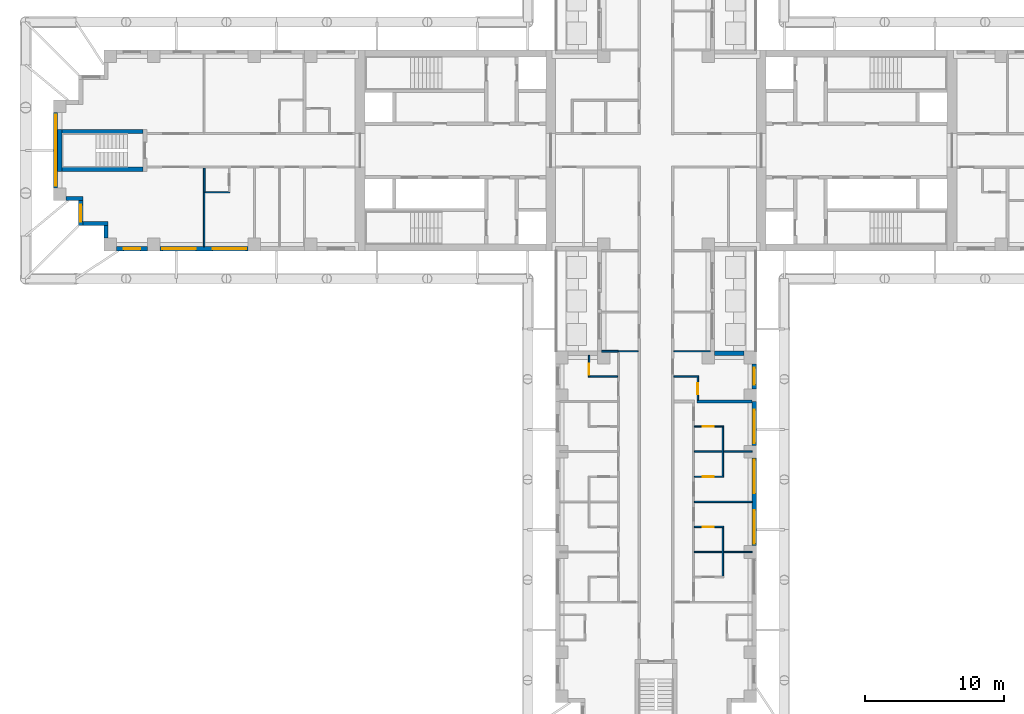
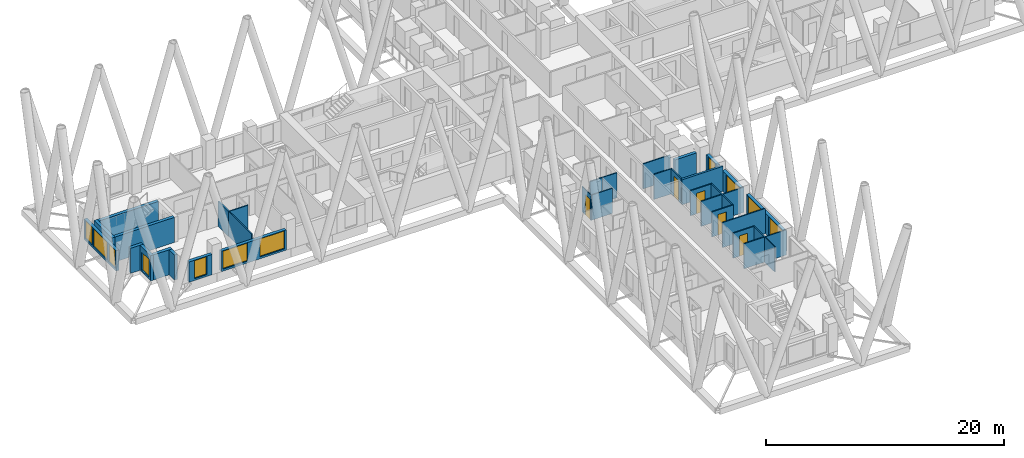
# One storey, part 6 of 16: 33 walls, 11 windows, 5 doors, 16 openings.
"""IFC4 building model written with IfcOpenShell, lengths in metres."""

from ifc_helpers import new_model, si_unit, direction, frame, frame_2d, origin, place, context, subcontext, project, spatial, rectangle, extrude, material, layer, layer_set, type_object, element, fill, save


model = new_model("IFC4")

# Units and contexts
model_context = context("Model", 3, precision=1e-05, world=origin(), true_north=direction((0.0, 1.0)))
body_context = subcontext(model_context, "Body", "Model", "MODEL_VIEW")
ifc_project = project(units=[si_unit("LENGTHUNIT", "METRE"), si_unit("AREAUNIT", "SQUARE_METRE"), si_unit("VOLUMEUNIT", "CUBIC_METRE"), si_unit("PLANEANGLEUNIT", "RADIAN"), si_unit("MASSUNIT", "GRAM", prefix="KILO")], contexts=[model_context])

# Site, building, storey
site_placement = place(None, origin())
site = spatial("IfcSite", under=ifc_project, at=site_placement, CompositionType="ELEMENT")
building_placement = place(site_placement, origin())
building = spatial("IfcBuilding", under=site, at=building_placement, Name="Fustian Cross Tower", CompositionType="ELEMENT")
storey_placement = place(building_placement, frame((0.0, 0.0, 66.89990234375)))
storey = spatial("IfcBuildingStorey", under=building, at=storey_placement, Name="L20", CompositionType="ELEMENT", Elevation=66.89990234375)

# Walls
ifc_material_1 = material(Name="Plasterboard on steel stud", Category="steel")
ifc_layer_1 = layer(ifc_material_1, 0.10009765625)
ifc_layer_set_1 = layer_set([ifc_layer_1], Name="Plasterboard on steel stud")
wall_type_1 = type_object("IfcWallType", Name="PARTITION 100 STUD", PredefinedType="PARTITIONING", material=ifc_layer_set_1)
wall_1_placement = place(storey_placement, frame((-32.39990234375, -6.89990234375, 0.0), z_axis=(0.0, 0.0, 1.0), x_axis=(0.0, 1.0, 0.0)))
element("IfcWall", 1, at=wall_1_placement, inside=storey, type_object=wall_type_1, Name="Partition 3", PredefinedType="PARTITIONING", context=body_context, shape_type="SweptSolid", body=[
    extrude(rectangle(XDim=3.89990234375, YDim=0.10009765625, at=frame_2d((1.949951171875, 0.0))), origin(), (0.0, 0.0, 1.0), 2.5751953125),
])
wall_2_placement = place(storey_placement, frame((-32.33740234375, -3.0, 0.0), z_axis=(0.0, 0.0, 1.0), x_axis=(1.0, 0.0, 0.0)))
element("IfcWall", 2, at=wall_2_placement, inside=storey, type_object=wall_type_1, Name="Partition 5", PredefinedType="PARTITIONING", context=body_context, shape_type="SweptSolid", body=[
    extrude(rectangle(XDim=1.787353515625, YDim=0.10009765625, at=frame_2d((0.8935546875, 0.0))), origin(), (0.0, 0.0, 1.0), 2.5751953125),
])

# Wall, opening, door
wall_3_placement = place(storey_placement, frame((-4.800048828125, -16.25, 0.0), z_axis=(0.0, 0.0, 1.0), x_axis=(0.0, 1.0, 0.0)))
wall_3 = element("IfcWall", 3, at=wall_3_placement, inside=storey, type_object=wall_type_1, Name="Partition 36", PredefinedType="PARTITIONING", context=body_context, shape_type="SweptSolid", body=[
    extrude(rectangle(XDim=1.550048828125, YDim=0.10009765625, at=frame_2d((0.77490234375, 0.0))), origin(), (0.0, 0.0, 1.0), 2.5751953125),
])
opening_1_placement = place(wall_3_placement, frame((0.14990234375, 0.0, 0.0)))
opening_1 = element("IfcOpeningElement", 4, at=opening_1_placement, cuts=wall_3, Name="Opening D11061", PredefinedType="OPENING", context=body_context, shape_type="SweptSolid", body=[
    extrude(rectangle(XDim=0.800048828125, YDim=2.10009765625, at=frame_2d((0.39990234375, 1.050048828125))), frame((0.0, 0.06005859375, 0.0), z_axis=(0.0, -1.0, 0.0), x_axis=(1.0, 0.0, 0.0)), (0.0, 0.0, 1.0), 0.1201171875),
])
ifc_material_2 = material(Name="Painted timber", Category="wood")
door_type = type_object("IfcDoorType", Name="SWING DOOR 800", OperationType="SINGLE_SWING_LEFT", PredefinedType="DOOR", material=ifc_material_2)
door_1_placement = place(opening_1_placement, frame((0.800048828125, 0.0, 0.0), z_axis=(0.0, 0.0, 1.0), x_axis=(-1.0, 0.0, 0.0)))
door_1 = element("IfcDoor", 5, at=door_1_placement, inside=storey, type_object=door_type, Name="Door D11061", OperationType="SINGLE_SWING_RIGHT", OverallHeight=2.10009765625, OverallWidth=0.800048828125, PredefinedType="DOOR", context=body_context, shape_type="SweptSolid", body=[
    extrude(rectangle(XDim=0.800048828125, YDim=2.10009765625, at=frame_2d((0.39990234375, 1.050048828125))), frame((0.0, 0.02490234375, 0.0), z_axis=(0.0, -1.0, 0.0), x_axis=(1.0, 0.0, 0.0)), (0.0, 0.0, 1.0), 0.050048828125),
])
fill(opening_1, door_1)

# Walls
wall_4_placement = place(storey_placement, frame((-4.75, -16.199951171875, 0.0), z_axis=(0.0, 0.0, 1.0), x_axis=(1.0, 0.0, 0.0)))
element("IfcWall", 6, at=wall_4_placement, inside=storey, type_object=wall_type_1, Name="Partition 37", PredefinedType="PARTITIONING", context=body_context, shape_type="SweptSolid", body=[
    extrude(rectangle(XDim=2.0, YDim=0.10009765625, at=frame_2d((1.0, 0.0))), origin(), (0.0, 0.0, 1.0), 2.5751953125),
])
wall_5_placement = place(storey_placement, frame((-2.699951171875, -14.39990234375, 0.0), z_axis=(0.0, 0.0, 1.0), x_axis=(1.0, 0.0, 0.0)))
element("IfcWall", 7, at=wall_5_placement, inside=storey, type_object=wall_type_1, Name="Partition 48", PredefinedType="PARTITIONING", context=body_context, shape_type="SweptSolid", body=[
    extrude(rectangle(XDim=1.425048828125, YDim=0.10009765625, at=frame_2d((0.71240234375, 0.0))), origin(), (0.0, 0.0, 1.0), 2.5751953125),
])
wall_6_placement = place(storey_placement, frame((1.27490234375, -16.199951171875, 0.0), z_axis=(0.0, 0.0, 1.0), x_axis=(1.0, 0.0, 0.0)))
element("IfcWall", 8, at=wall_6_placement, inside=storey, type_object=wall_type_1, Name="Partition 55", PredefinedType="PARTITIONING", context=body_context, shape_type="SweptSolid", body=[
    extrude(rectangle(XDim=1.775146484375, YDim=0.10009765625, at=frame_2d((0.8876953125, 0.0))), origin(), (0.0, 0.0, 1.0), 2.5751953125),
])
wall_7_placement = place(storey_placement, frame((1.27490234375, -14.39990234375, 0.0), z_axis=(0.0, 0.0, 1.0), x_axis=(1.0, 0.0, 0.0)))
element("IfcWall", 9, at=wall_7_placement, inside=storey, type_object=wall_type_1, Name="Partition 56", PredefinedType="PARTITIONING", context=body_context, shape_type="SweptSolid", body=[
    extrude(rectangle(XDim=2.625, YDim=0.10009765625, at=frame_2d((1.3125, 0.0))), origin(), (0.0, 0.0, 1.0), 2.5751953125),
])
wall_8_placement = place(storey_placement, frame((2.75, -28.800048828125, 0.0), z_axis=(0.0, 0.0, 1.0), x_axis=(1.0, 0.0, 0.0)))
element("IfcWall", 10, at=wall_8_placement, inside=storey, type_object=wall_type_1, Name="Partition 69", PredefinedType="PARTITIONING", context=body_context, shape_type="SweptSolid", body=[
    extrude(rectangle(XDim=4.14990234375, YDim=0.10009765625, at=frame_2d((2.074951171875, 0.0))), origin(), (0.0, 0.0, 1.0), 2.5751953125),
])

# Wall, opening, door
wall_9_placement = place(storey_placement, frame((2.75, -27.0, 0.0), z_axis=(0.0, 0.0, 1.0), x_axis=(1.0, 0.0, 0.0)))
wall_9 = element("IfcWall", 11, at=wall_9_placement, inside=storey, type_object=wall_type_1, Name="Partition 70", PredefinedType="PARTITIONING", context=body_context, shape_type="SweptSolid", body=[
    extrude(rectangle(XDim=2.10009765625, YDim=0.10009765625, at=frame_2d((1.050048828125, 0.0))), origin(), (0.0, 0.0, 1.0), 2.5751953125),
])
opening_2_placement = place(wall_9_placement, frame((0.60009765625, 0.0, 0.0)))
opening_2 = element("IfcOpeningElement", 12, at=opening_2_placement, cuts=wall_9, Name="Opening D11049", PredefinedType="OPENING", context=body_context, shape_type="SweptSolid", body=[
    extrude(rectangle(XDim=0.800048828125, YDim=2.10009765625, at=frame_2d((0.39990234375, 1.050048828125))), frame((0.0, 0.06005859375, 0.0), z_axis=(0.0, -1.0, 0.0), x_axis=(1.0, 0.0, 0.0)), (0.0, 0.0, 1.0), 0.1201171875),
])
door_2_placement = place(opening_2_placement, frame((0.800048828125, 0.0, 0.0), z_axis=(0.0, 0.0, 1.0), x_axis=(-1.0, 0.0, 0.0)))
door_2 = element("IfcDoor", 13, at=door_2_placement, inside=storey, type_object=door_type, Name="Door D11049", OperationType="SINGLE_SWING_RIGHT", OverallHeight=2.10009765625, OverallWidth=0.800048828125, PredefinedType="DOOR", context=body_context, shape_type="SweptSolid", body=[
    extrude(rectangle(XDim=0.800048828125, YDim=2.10009765625, at=frame_2d((0.39990234375, 1.050048828125))), frame((0.0, 0.02490234375, 0.0), z_axis=(0.0, -1.0, 0.0), x_axis=(1.0, 0.0, 0.0)), (0.0, 0.0, 1.0), 0.050048828125),
])
fill(opening_2, door_2)

# Wall
wall_10_placement = place(storey_placement, frame((2.75, -25.199951171875, 0.0), z_axis=(0.0, 0.0, 1.0), x_axis=(1.0, 0.0, 0.0)))
element("IfcWall", 14, at=wall_10_placement, inside=storey, type_object=wall_type_1, Name="Partition 71", PredefinedType="PARTITIONING", context=body_context, shape_type="SweptSolid", body=[
    extrude(rectangle(XDim=4.14990234375, YDim=0.10009765625, at=frame_2d((2.074951171875, 0.0))), origin(), (0.0, 0.0, 1.0), 2.5751953125),
])

# Wall, opening, door
wall_11_placement = place(storey_placement, frame((2.75, -23.39990234375, 0.0), z_axis=(0.0, 0.0, 1.0), x_axis=(1.0, 0.0, 0.0)))
wall_11 = element("IfcWall", 15, at=wall_11_placement, inside=storey, type_object=wall_type_1, Name="Partition 72", PredefinedType="PARTITIONING", context=body_context, shape_type="SweptSolid", body=[
    extrude(rectangle(XDim=2.10009765625, YDim=0.10009765625, at=frame_2d((1.050048828125, 0.0))), origin(), (0.0, 0.0, 1.0), 2.5751953125),
])
opening_3_placement = place(wall_11_placement, frame((0.60009765625, 0.0, 0.0)))
opening_3 = element("IfcOpeningElement", 16, at=opening_3_placement, cuts=wall_11, Name="Opening D11048", PredefinedType="OPENING", context=body_context, shape_type="SweptSolid", body=[
    extrude(rectangle(XDim=0.800048828125, YDim=2.10009765625, at=frame_2d((0.39990234375, 1.050048828125))), frame((0.0, 0.06005859375, 0.0), z_axis=(0.0, -1.0, 0.0), x_axis=(1.0, 0.0, 0.0)), (0.0, 0.0, 1.0), 0.1201171875),
])
door_3_placement = place(opening_3_placement, origin())
door_3 = element("IfcDoor", 17, at=door_3_placement, inside=storey, type_object=door_type, Name="Door D11048", OperationType="SINGLE_SWING_LEFT", OverallHeight=2.10009765625, OverallWidth=0.800048828125, PredefinedType="DOOR", context=body_context, shape_type="SweptSolid", body=[
    extrude(rectangle(XDim=0.800048828125, YDim=2.10009765625, at=frame_2d((0.39990234375, 1.050048828125))), frame((0.0, 0.02490234375, 0.0), z_axis=(0.0, -1.0, 0.0), x_axis=(1.0, 0.0, 0.0)), (0.0, 0.0, 1.0), 0.050048828125),
])
fill(opening_3, door_3)

# Wall
wall_12_placement = place(storey_placement, frame((2.75, -21.60009765625, 0.0), z_axis=(0.0, 0.0, 1.0), x_axis=(1.0, 0.0, 0.0)))
element("IfcWall", 18, at=wall_12_placement, inside=storey, type_object=wall_type_1, Name="Partition 73", PredefinedType="PARTITIONING", context=body_context, shape_type="SweptSolid", body=[
    extrude(rectangle(XDim=4.14990234375, YDim=0.10009765625, at=frame_2d((2.074951171875, 0.0))), origin(), (0.0, 0.0, 1.0), 2.5751953125),
])

# Wall, opening, door
wall_13_placement = place(storey_placement, frame((2.75, -19.800048828125, 0.0), z_axis=(0.0, 0.0, 1.0), x_axis=(1.0, 0.0, 0.0)))
wall_13 = element("IfcWall", 19, at=wall_13_placement, inside=storey, type_object=wall_type_1, Name="Partition 74", PredefinedType="PARTITIONING", context=body_context, shape_type="SweptSolid", body=[
    extrude(rectangle(XDim=2.10009765625, YDim=0.10009765625, at=frame_2d((1.050048828125, 0.0))), origin(), (0.0, 0.0, 1.0), 2.5751953125),
])
opening_4_placement = place(wall_13_placement, frame((0.60009765625, 0.0, 0.0)))
opening_4 = element("IfcOpeningElement", 20, at=opening_4_placement, cuts=wall_13, Name="Opening D11047", PredefinedType="OPENING", context=body_context, shape_type="SweptSolid", body=[
    extrude(rectangle(XDim=0.800048828125, YDim=2.10009765625, at=frame_2d((0.39990234375, 1.050048828125))), frame((0.0, 0.06005859375, 0.0), z_axis=(0.0, -1.0, 0.0), x_axis=(1.0, 0.0, 0.0)), (0.0, 0.0, 1.0), 0.1201171875),
])
door_4_placement = place(opening_4_placement, frame((0.800048828125, 0.0, 0.0), z_axis=(0.0, 0.0, 1.0), x_axis=(-1.0, 0.0, 0.0)))
door_4 = element("IfcDoor", 21, at=door_4_placement, inside=storey, type_object=door_type, Name="Door D11047", OperationType="SINGLE_SWING_RIGHT", OverallHeight=2.10009765625, OverallWidth=0.800048828125, PredefinedType="DOOR", context=body_context, shape_type="SweptSolid", body=[
    extrude(rectangle(XDim=0.800048828125, YDim=2.10009765625, at=frame_2d((0.39990234375, 1.050048828125))), frame((0.0, 0.02490234375, 0.0), z_axis=(0.0, -1.0, 0.0), x_axis=(1.0, 0.0, 0.0)), (0.0, 0.0, 1.0), 0.050048828125),
])
fill(opening_4, door_4)

wall_14_placement = place(storey_placement, frame((3.0, -17.89990234375, 0.0), z_axis=(0.0, 0.0, 1.0), x_axis=(0.0, 1.0, 0.0)))
wall_14 = element("IfcWall", 22, at=wall_14_placement, inside=storey, type_object=wall_type_1, Name="Partition 75", PredefinedType="PARTITIONING", context=body_context, shape_type="SweptSolid", body=[
    extrude(rectangle(XDim=1.64990234375, YDim=0.10009765625, at=frame_2d((0.824951171875, 0.0))), origin(), (0.0, 0.0, 1.0), 2.5751953125),
])
opening_5_placement = place(wall_14_placement, frame((0.39990234375, 0.0, 0.0)))
opening_5 = element("IfcOpeningElement", 23, at=opening_5_placement, cuts=wall_14, Name="Opening D11038", PredefinedType="OPENING", context=body_context, shape_type="SweptSolid", body=[
    extrude(rectangle(XDim=0.800048828125, YDim=2.10009765625, at=frame_2d((0.39990234375, 1.050048828125))), frame((0.0, 0.06005859375, 0.0), z_axis=(0.0, -1.0, 0.0), x_axis=(1.0, 0.0, 0.0)), (0.0, 0.0, 1.0), 0.1201171875),
])
door_5_placement = place(opening_5_placement, origin())
door_5 = element("IfcDoor", 24, at=door_5_placement, inside=storey, type_object=door_type, Name="Door D11038", OperationType="SINGLE_SWING_RIGHT", OverallHeight=2.10009765625, OverallWidth=0.800048828125, PredefinedType="DOOR", context=body_context, shape_type="SweptSolid", body=[
    extrude(rectangle(XDim=0.800048828125, YDim=2.10009765625, at=frame_2d((0.39990234375, 1.050048828125))), frame((0.0, 0.02490234375, 0.0), z_axis=(0.0, -1.0, 0.0), x_axis=(1.0, 0.0, 0.0)), (0.0, 0.0, 1.0), 0.050048828125),
])
fill(opening_5, door_5)

# Walls
for number, where, z_axis, x_axis, name in (
    (25, (4.800048828125, -30.550048828125, 0.0), (0.0, 0.0, 1.0), (0.0, 1.0, 0.0), "Partition 78"),
    (26, (4.800048828125, -23.35009765625, 0.0), (0.0, 0.0, 1.0), (0.0, 1.0, 0.0), "Partition 79"),
):
    element("IfcWall", number, at=place(storey_placement, frame(where, z_axis=z_axis, x_axis=x_axis)), inside=storey, type_object=wall_type_1, Name=name, PredefinedType="PARTITIONING", context=body_context, shape_type="SweptSolid", body=[
        extrude(rectangle(XDim=3.5, YDim=0.10009765625, at=frame_2d((1.75, 0.0))), origin(), (0.0, 0.0, 1.0), 2.5751953125),
    ])
ifc_material_3 = material(Name="Plasterboard on steel stud", Category="steel")
ifc_layer_2 = layer(ifc_material_3, 0.199951171875)
ifc_layer_set_2 = layer_set([ifc_layer_2], Name="Plasterboard on steel stud")
wall_type_2 = type_object("IfcWallType", Name="PARTY WALL 200 EI 60", PredefinedType="PARTITIONING", material=ifc_layer_set_2)
wall_15_placement = place(storey_placement, frame((2.949951171875, -18.0, 0.0), z_axis=(0.0, 0.0, 1.0), x_axis=(1.0, 0.0, 0.0)))
element("IfcWall", 27, at=wall_15_placement, inside=storey, type_object=wall_type_2, Name="Partition 76", PredefinedType="PARTITIONING", context=body_context, shape_type="SweptSolid", body=[
    extrude(rectangle(XDim=3.949951171875, YDim=0.199951171875, at=frame_2d((1.97509765625, 0.0))), origin(), (0.0, 0.0, 1.0), 2.5751953125),
])
ifc_material_4 = material(Name="Concrete C50/60", Category="concrete")
ifc_layer_3 = layer(ifc_material_4, 0.300048828125)
ifc_layer_set_3 = layer_set([ifc_layer_3], Name="Concrete C50/60")
wall_type_3 = type_object("IfcWallType", Name="STAIR ENCLOSURE WALL 300 C50/60", PredefinedType="SHEAR", material=ifc_layer_set_3)
wall_16_placement = place(storey_placement, frame((-42.75, -1.5, 0.0), z_axis=(0.0, 0.0, 1.0), x_axis=(0.0, 1.0, 0.0)))
element("IfcWall", 28, at=wall_16_placement, inside=storey, type_object=wall_type_3, Name="Stair enclosure wall", PredefinedType="SHEAR", context=body_context, shape_type="SweptSolid", body=[
    extrude(rectangle(XDim=3.0, YDim=0.300048828125, at=frame_2d((1.5, 0.0))), origin(), (0.0, 0.0, 1.0), 2.5751953125),
])
for number, where, z_axis, x_axis, name in (
    (29, (-36.800048828125, -1.35009765625, 0.0), (0.0, 0.0, 1.0), (-1.0, 0.0, 0.0), "Stair enclosure wall"),
    (30, (-36.800048828125, 1.35009765625, 0.0), (0.0, 0.0, 1.0), (-1.0, 0.0, 0.0), "Stair enclosure wall"),
):
    element("IfcWall", number, at=place(storey_placement, frame(where, z_axis=z_axis, x_axis=x_axis)), inside=storey, type_object=wall_type_3, Name=name, PredefinedType="SHEAR", context=body_context, shape_type="SweptSolid", body=[
        extrude(rectangle(XDim=5.800048828125, YDim=0.300048828125, at=frame_2d((2.89990234375, 0.0))), origin(), (0.0, 0.0, 1.0), 2.5751953125),
    ])
ifc_material_5 = material(Name="Plasterboard on steel stud", Category="steel")
ifc_layer_4 = layer(ifc_material_5, 0.125)
ifc_layer_set_4 = layer_set([ifc_layer_4], Name="Plasterboard on steel stud")
wall_type_4 = type_object("IfcWallType", Name="WET WALL 125 STUD", PredefinedType="PARTITIONING", material=ifc_layer_set_4)
wall_17_placement = place(storey_placement, frame((-32.39990234375, -3.0, 0.0), z_axis=(0.0, 0.0, 1.0), x_axis=(0.0, 1.0, 0.0)))
element("IfcWall", 31, at=wall_17_placement, inside=storey, type_object=wall_type_4, Name="Partition 4", PredefinedType="PARTITIONING", context=body_context, shape_type="SweptSolid", body=[
    extrude(rectangle(XDim=1.72509765625, YDim=0.125, at=frame_2d((0.862548828125, 0.0))), origin(), (0.0, 0.0, 1.0), 2.5751953125),
])
wall_18_placement = place(storey_placement, frame((-3.89990234375, -14.39990234375, 0.0), z_axis=(0.0, 0.0, 1.0), x_axis=(1.0, 0.0, 0.0)))
element("IfcWall", 32, at=wall_18_placement, inside=storey, type_object=wall_type_4, Name="Partition 38", PredefinedType="PARTITIONING", context=body_context, shape_type="SweptSolid", body=[
    extrude(rectangle(XDim=1.199951171875, YDim=0.125, at=frame_2d((0.60009765625, 0.0))), origin(), (0.0, 0.0, 1.0), 2.5751953125),
])

# Wall, openings, windows
ifc_material_6 = material(Name="Dark aluminium cladding on insulated backing wall", Category="aluminium")
ifc_layer_5 = layer(ifc_material_6, 0.300048828125)
ifc_layer_set_5 = layer_set([ifc_layer_5], Name="Dark aluminium cladding on insulated backing wall")
wall_type_5 = type_object("IfcWallType", Name="XW1 EXTERNAL WALL 300", PredefinedType="SOLIDWALL", material=ifc_layer_set_5)
wall_19_placement = place(storey_placement, frame((-43.050048828125, 2.699951171875, 0.0), z_axis=(0.0, 0.0, 1.0), x_axis=(0.0, -1.0, 0.0)))
wall_19 = element("IfcWall", 33, at=wall_19_placement, inside=storey, type_object=wall_type_5, Name="External wall", PredefinedType="SOLIDWALL", context=body_context, shape_type="SweptSolid", body=[
    extrude(rectangle(XDim=5.39990234375, YDim=0.300048828125, at=frame_2d((2.699951171875, 0.0))), origin(), (0.0, 0.0, 1.0), 2.10009765625),
])
opening_6_placement = place(wall_19_placement, frame((1.5, 0.0, 0.199951171875)))
opening_6 = element("IfcOpeningElement", 34, at=opening_6_placement, cuts=wall_19, Name="Opening WN1", PredefinedType="OPENING", context=body_context, shape_type="SweptSolid", body=[
    extrude(rectangle(XDim=2.39990234375, YDim=1.85009765625, at=frame_2d((1.199951171875, 0.925048828125))), frame((0.0, 0.159912109375, 0.0), z_axis=(0.0, -1.0, 0.0), x_axis=(1.0, 0.0, 0.0)), (0.0, 0.0, 1.0), 0.320068359375),
])
opening_7_placement = place(wall_19_placement, frame((0.14990234375, 0.0, 0.199951171875)))
opening_7 = element("IfcOpeningElement", 35, at=opening_7_placement, cuts=wall_19, Name="Opening WN3", PredefinedType="OPENING", context=body_context, shape_type="SweptSolid", body=[
    extrude(rectangle(XDim=1.199951171875, YDim=1.85009765625, at=frame_2d((0.60009765625, 0.925048828125))), frame((0.0, 0.159912109375, 0.0), z_axis=(0.0, -1.0, 0.0), x_axis=(1.0, 0.0, 0.0)), (0.0, 0.0, 1.0), 0.320068359375),
])
opening_8_placement = place(wall_19_placement, frame((4.050048828125, 0.0, 0.199951171875)))
opening_8 = element("IfcOpeningElement", 36, at=opening_8_placement, cuts=wall_19, Name="Opening WN3", PredefinedType="OPENING", context=body_context, shape_type="SweptSolid", body=[
    extrude(rectangle(XDim=1.199951171875, YDim=1.85009765625, at=frame_2d((0.60009765625, 0.925048828125))), frame((0.0, 0.159912109375, 0.0), z_axis=(0.0, -1.0, 0.0), x_axis=(1.0, 0.0, 0.0)), (0.0, 0.0, 1.0), 0.320068359375),
])
ifc_material_7 = material(Name="Dark anodised aluminium and double glazing", Category="aluminium")
window_type_1 = type_object("IfcWindowType", Name="WN1 WINDOW 2400X1850", PartitioningType="SINGLE_PANEL", PredefinedType="WINDOW", material=ifc_material_7)
window_1_placement = place(opening_6_placement, origin())
window_1 = element("IfcWindow", 37, at=window_1_placement, inside=storey, type_object=window_type_1, Name="Window", OverallHeight=1.85009765625, OverallWidth=2.39990234375, PartitioningType="SINGLE_PANEL", PredefinedType="WINDOW", context=body_context, shape_type="SweptSolid", body=[
    extrude(rectangle(XDim=2.39990234375, YDim=1.85009765625, at=frame_2d((1.199951171875, 0.925048828125))), frame((0.0, 0.030029296875, 0.0), z_axis=(0.0, -1.0, 0.0), x_axis=(1.0, 0.0, 0.0)), (0.0, 0.0, 1.0), 0.06005859375),
])
fill(opening_6, window_1)
ifc_material_8 = material(Name="Dark anodised aluminium and double glazing", Category="aluminium")
window_type_2 = type_object("IfcWindowType", Name="WN3 WINDOW 1200X1850", PartitioningType="SINGLE_PANEL", PredefinedType="WINDOW", material=ifc_material_8)
window_2_placement = place(opening_7_placement, origin())
window_2 = element("IfcWindow", 38, at=window_2_placement, inside=storey, type_object=window_type_2, Name="Window", OverallHeight=1.85009765625, OverallWidth=1.199951171875, PartitioningType="SINGLE_PANEL", PredefinedType="WINDOW", context=body_context, shape_type="SweptSolid", body=[
    extrude(rectangle(XDim=1.199951171875, YDim=1.85009765625, at=frame_2d((0.60009765625, 0.925048828125))), frame((0.0, 0.030029296875, 0.0), z_axis=(0.0, -1.0, 0.0), x_axis=(1.0, 0.0, 0.0)), (0.0, 0.0, 1.0), 0.06005859375),
])
fill(opening_7, window_2)
window_3_placement = place(opening_8_placement, origin())
window_3 = element("IfcWindow", 39, at=window_3_placement, inside=storey, type_object=window_type_2, Name="Window", OverallHeight=1.85009765625, OverallWidth=1.199951171875, PartitioningType="SINGLE_PANEL", PredefinedType="WINDOW", context=body_context, shape_type="SweptSolid", body=[
    extrude(rectangle(XDim=1.199951171875, YDim=1.85009765625, at=frame_2d((0.60009765625, 0.925048828125))), frame((0.0, 0.030029296875, 0.0), z_axis=(0.0, -1.0, 0.0), x_axis=(1.0, 0.0, 0.0)), (0.0, 0.0, 1.0), 0.06005859375),
])
fill(opening_8, window_3)

# Wall
wall_20_placement = place(storey_placement, frame((-42.300048828125, -3.449951171875, 0.0), z_axis=(0.0, 0.0, 1.0), x_axis=(1.0, 0.0, 0.0)))
element("IfcWall", 40, at=wall_20_placement, inside=storey, type_object=wall_type_5, Name="External wall", PredefinedType="SOLIDWALL", context=body_context, shape_type="SweptSolid", body=[
    extrude(rectangle(XDim=1.199951171875, YDim=0.300048828125, at=frame_2d((0.60009765625, 0.0))), origin(), (0.0, 0.0, 1.0), 2.5751953125),
])

# Wall, opening, window
wall_21_placement = place(storey_placement, frame((-41.25, -3.60009765625, 0.0), z_axis=(0.0, 0.0, 1.0), x_axis=(0.0, -1.0, 0.0)))
wall_21 = element("IfcWall", 41, at=wall_21_placement, inside=storey, type_object=wall_type_5, Name="External wall", PredefinedType="SOLIDWALL", context=body_context, shape_type="SweptSolid", body=[
    extrude(rectangle(XDim=1.7998046875, YDim=0.300048828125, at=frame_2d((0.89990234375, 0.0))), origin(), (0.0, 0.0, 1.0), 2.5751953125),
])
opening_9_placement = place(wall_21_placement, frame((0.300048828125, 0.0, 0.199951171875)))
opening_9 = element("IfcOpeningElement", 42, at=opening_9_placement, cuts=wall_21, Name="Opening WN3", PredefinedType="OPENING", context=body_context, shape_type="SweptSolid", body=[
    extrude(rectangle(XDim=1.199951171875, YDim=1.85009765625, at=frame_2d((0.60009765625, 0.925048828125))), frame((0.0, 0.159912109375, 0.0), z_axis=(0.0, -1.0, 0.0), x_axis=(1.0, 0.0, 0.0)), (0.0, 0.0, 1.0), 0.320068359375),
])
window_4_placement = place(opening_9_placement, origin())
window_4 = element("IfcWindow", 43, at=window_4_placement, inside=storey, type_object=window_type_2, Name="Window", OverallHeight=1.85009765625, OverallWidth=1.199951171875, PartitioningType="SINGLE_PANEL", PredefinedType="WINDOW", context=body_context, shape_type="SweptSolid", body=[
    extrude(rectangle(XDim=1.199951171875, YDim=1.85009765625, at=frame_2d((0.60009765625, 0.925048828125))), frame((0.0, 0.030029296875, 0.0), z_axis=(0.0, -1.0, 0.0), x_axis=(1.0, 0.0, 0.0)), (0.0, 0.0, 1.0), 0.06005859375),
])
fill(opening_9, window_4)

# Walls
wall_22_placement = place(storey_placement, frame((-41.10009765625, -5.25, 0.0), z_axis=(0.0, 0.0, 1.0), x_axis=(1.0, 0.0, 0.0)))
element("IfcWall", 44, at=wall_22_placement, inside=storey, type_object=wall_type_5, Name="External wall", PredefinedType="SOLIDWALL", context=body_context, shape_type="SweptSolid", body=[
    extrude(rectangle(XDim=1.800048828125, YDim=0.300048828125, at=frame_2d((0.89990234375, 0.0))), origin(), (0.0, 0.0, 1.0), 2.5751953125),
])
wall_23_placement = place(storey_placement, frame((-39.449951171875, -5.39990234375, 0.0), z_axis=(0.0, 0.0, 1.0), x_axis=(0.0, -1.0, 0.0)))
element("IfcWall", 45, at=wall_23_placement, inside=storey, type_object=wall_type_5, Name="External wall", PredefinedType="SOLIDWALL", context=body_context, shape_type="SweptSolid", body=[
    extrude(rectangle(XDim=0.900146484375, YDim=0.300048828125, at=frame_2d((0.4501953125, 0.0))), origin(), (0.0, 0.0, 1.0), 2.5751953125),
])

# Wall, opening, window
wall_24_placement = place(storey_placement, frame((-38.699951171875, -7.050048828125, 0.0), z_axis=(0.0, 0.0, 1.0), x_axis=(1.0, 0.0, 0.0)))
wall_24 = element("IfcWall", 46, at=wall_24_placement, inside=storey, type_object=wall_type_5, Name="External wall", PredefinedType="SOLIDWALL", context=body_context, shape_type="SweptSolid", body=[
    extrude(rectangle(XDim=2.25, YDim=0.300048828125, at=frame_2d((1.125, 0.0))), origin(), (0.0, 0.0, 1.0), 2.10009765625),
])
opening_10_placement = place(wall_24_placement, frame((0.52490234375, 0.0, 0.199951171875)))
opening_10 = element("IfcOpeningElement", 47, at=opening_10_placement, cuts=wall_24, Name="Opening WN3", PredefinedType="OPENING", context=body_context, shape_type="SweptSolid", body=[
    extrude(rectangle(XDim=1.199951171875, YDim=1.85009765625, at=frame_2d((0.60009765625, 0.925048828125))), frame((0.0, 0.159912109375, 0.0), z_axis=(0.0, -1.0, 0.0), x_axis=(1.0, 0.0, 0.0)), (0.0, 0.0, 1.0), 0.320068359375),
])
window_5_placement = place(opening_10_placement, origin())
window_5 = element("IfcWindow", 48, at=window_5_placement, inside=storey, type_object=window_type_2, Name="Window", OverallHeight=1.85009765625, OverallWidth=1.199951171875, PartitioningType="SINGLE_PANEL", PredefinedType="WINDOW", context=body_context, shape_type="SweptSolid", body=[
    extrude(rectangle(XDim=1.199951171875, YDim=1.85009765625, at=frame_2d((0.60009765625, 0.925048828125))), frame((0.0, 0.030029296875, 0.0), z_axis=(0.0, -1.0, 0.0), x_axis=(1.0, 0.0, 0.0)), (0.0, 0.0, 1.0), 0.06005859375),
])
fill(opening_10, window_5)

# Wall, openings, windows
wall_25_placement = place(storey_placement, frame((-35.550048828125, -7.050048828125, 0.0), z_axis=(0.0, 0.0, 1.0), x_axis=(1.0, 0.0, 0.0)))
wall_25 = element("IfcWall", 49, at=wall_25_placement, inside=storey, type_object=wall_type_5, Name="External wall", PredefinedType="SOLIDWALL", context=body_context, shape_type="SweptSolid", body=[
    extrude(rectangle(XDim=6.300048828125, YDim=0.300048828125, at=frame_2d((3.14990234375, 0.0))), origin(), (0.0, 0.0, 1.0), 2.10009765625),
])
opening_11_placement = place(wall_25_placement, frame((0.14990234375, 0.0, 0.199951171875)))
opening_11 = element("IfcOpeningElement", 50, at=opening_11_placement, cuts=wall_25, Name="Opening WN1", PredefinedType="OPENING", context=body_context, shape_type="SweptSolid", body=[
    extrude(rectangle(XDim=2.39990234375, YDim=1.85009765625, at=frame_2d((1.199951171875, 0.925048828125))), frame((0.0, 0.159912109375, 0.0), z_axis=(0.0, -1.0, 0.0), x_axis=(1.0, 0.0, 0.0)), (0.0, 0.0, 1.0), 0.320068359375),
])
opening_12_placement = place(wall_25_placement, frame((3.75, 0.0, 0.199951171875)))
opening_12 = element("IfcOpeningElement", 51, at=opening_12_placement, cuts=wall_25, Name="Opening WN1", PredefinedType="OPENING", context=body_context, shape_type="SweptSolid", body=[
    extrude(rectangle(XDim=2.39990234375, YDim=1.85009765625, at=frame_2d((1.199951171875, 0.925048828125))), frame((0.0, 0.159912109375, 0.0), z_axis=(0.0, -1.0, 0.0), x_axis=(1.0, 0.0, 0.0)), (0.0, 0.0, 1.0), 0.320068359375),
])
window_6_placement = place(opening_11_placement, origin())
window_6 = element("IfcWindow", 52, at=window_6_placement, inside=storey, type_object=window_type_1, Name="Window", OverallHeight=1.85009765625, OverallWidth=2.39990234375, PartitioningType="SINGLE_PANEL", PredefinedType="WINDOW", context=body_context, shape_type="SweptSolid", body=[
    extrude(rectangle(XDim=2.39990234375, YDim=1.85009765625, at=frame_2d((1.199951171875, 0.925048828125))), frame((0.0, 0.030029296875, 0.0), z_axis=(0.0, -1.0, 0.0), x_axis=(1.0, 0.0, 0.0)), (0.0, 0.0, 1.0), 0.06005859375),
])
fill(opening_11, window_6)
window_7_placement = place(opening_12_placement, origin())
window_7 = element("IfcWindow", 53, at=window_7_placement, inside=storey, type_object=window_type_1, Name="Window", OverallHeight=1.85009765625, OverallWidth=2.39990234375, PartitioningType="SINGLE_PANEL", PredefinedType="WINDOW", context=body_context, shape_type="SweptSolid", body=[
    extrude(rectangle(XDim=2.39990234375, YDim=1.85009765625, at=frame_2d((1.199951171875, 0.925048828125))), frame((0.0, 0.030029296875, 0.0), z_axis=(0.0, -1.0, 0.0), x_axis=(1.0, 0.0, 0.0)), (0.0, 0.0, 1.0), 0.06005859375),
])
fill(opening_12, window_7)

wall_26_placement = place(storey_placement, frame((7.050048828125, -28.35009765625, 0.0), z_axis=(0.0, 0.0, 1.0), x_axis=(0.0, 1.0, 0.0)))
wall_26 = element("IfcWall", 54, at=wall_26_placement, inside=storey, type_object=wall_type_5, Name="External wall", PredefinedType="SOLIDWALL", context=body_context, shape_type="SweptSolid", body=[
    extrude(rectangle(XDim=6.300048828125, YDim=0.300048828125, at=frame_2d((3.14990234375, 0.0))), origin(), (0.0, 0.0, 1.0), 2.10009765625),
])
opening_13_placement = place(wall_26_placement, frame((0.14990234375, 0.0, 0.199951171875)))
opening_13 = element("IfcOpeningElement", 55, at=opening_13_placement, cuts=wall_26, Name="Opening WN1", PredefinedType="OPENING", context=body_context, shape_type="SweptSolid", body=[
    extrude(rectangle(XDim=2.39990234375, YDim=1.85009765625, at=frame_2d((1.199951171875, 0.925048828125))), frame((0.0, 0.159912109375, 0.0), z_axis=(0.0, -1.0, 0.0), x_axis=(1.0, 0.0, 0.0)), (0.0, 0.0, 1.0), 0.320068359375),
])
opening_14_placement = place(wall_26_placement, frame((3.75, 0.0, 0.199951171875)))
opening_14 = element("IfcOpeningElement", 56, at=opening_14_placement, cuts=wall_26, Name="Opening WN1", PredefinedType="OPENING", context=body_context, shape_type="SweptSolid", body=[
    extrude(rectangle(XDim=2.39990234375, YDim=1.85009765625, at=frame_2d((1.199951171875, 0.925048828125))), frame((0.0, 0.159912109375, 0.0), z_axis=(0.0, -1.0, 0.0), x_axis=(1.0, 0.0, 0.0)), (0.0, 0.0, 1.0), 0.320068359375),
])
window_8_placement = place(opening_13_placement, origin())
window_8 = element("IfcWindow", 57, at=window_8_placement, inside=storey, type_object=window_type_1, Name="Window", OverallHeight=1.85009765625, OverallWidth=2.39990234375, PartitioningType="SINGLE_PANEL", PredefinedType="WINDOW", context=body_context, shape_type="SweptSolid", body=[
    extrude(rectangle(XDim=2.39990234375, YDim=1.85009765625, at=frame_2d((1.199951171875, 0.925048828125))), frame((0.0, 0.030029296875, 0.0), z_axis=(0.0, -1.0, 0.0), x_axis=(1.0, 0.0, 0.0)), (0.0, 0.0, 1.0), 0.06005859375),
])
fill(opening_13, window_8)
window_9_placement = place(opening_14_placement, origin())
window_9 = element("IfcWindow", 58, at=window_9_placement, inside=storey, type_object=window_type_1, Name="Window", OverallHeight=1.85009765625, OverallWidth=2.39990234375, PartitioningType="SINGLE_PANEL", PredefinedType="WINDOW", context=body_context, shape_type="SweptSolid", body=[
    extrude(rectangle(XDim=2.39990234375, YDim=1.85009765625, at=frame_2d((1.199951171875, 0.925048828125))), frame((0.0, 0.030029296875, 0.0), z_axis=(0.0, -1.0, 0.0), x_axis=(1.0, 0.0, 0.0)), (0.0, 0.0, 1.0), 0.06005859375),
])
fill(opening_14, window_9)

# Wall, opening, window
wall_27_placement = place(storey_placement, frame((7.050048828125, -21.14990234375, 0.0), z_axis=(0.0, 0.0, 1.0), x_axis=(0.0, 1.0, 0.0)))
wall_27 = element("IfcWall", 59, at=wall_27_placement, inside=storey, type_object=wall_type_5, Name="External wall", PredefinedType="SOLIDWALL", context=body_context, shape_type="SweptSolid", body=[
    extrude(rectangle(XDim=3.14990234375, YDim=0.300048828125, at=frame_2d((1.574951171875, 0.0))), origin(), (0.0, 0.0, 1.0), 2.10009765625),
])
opening_15_placement = place(wall_27_placement, frame((0.14990234375, 0.0, 0.199951171875)))
opening_15 = element("IfcOpeningElement", 60, at=opening_15_placement, cuts=wall_27, Name="Opening WN1", PredefinedType="OPENING", context=body_context, shape_type="SweptSolid", body=[
    extrude(rectangle(XDim=2.39990234375, YDim=1.85009765625, at=frame_2d((1.199951171875, 0.925048828125))), frame((0.0, 0.159912109375, 0.0), z_axis=(0.0, -1.0, 0.0), x_axis=(1.0, 0.0, 0.0)), (0.0, 0.0, 1.0), 0.320068359375),
])
window_10_placement = place(opening_15_placement, origin())
window_10 = element("IfcWindow", 61, at=window_10_placement, inside=storey, type_object=window_type_1, Name="Window", OverallHeight=1.85009765625, OverallWidth=2.39990234375, PartitioningType="SINGLE_PANEL", PredefinedType="WINDOW", context=body_context, shape_type="SweptSolid", body=[
    extrude(rectangle(XDim=2.39990234375, YDim=1.85009765625, at=frame_2d((1.199951171875, 0.925048828125))), frame((0.0, 0.030029296875, 0.0), z_axis=(0.0, -1.0, 0.0), x_axis=(1.0, 0.0, 0.0)), (0.0, 0.0, 1.0), 0.06005859375),
])
fill(opening_15, window_10)

wall_28_placement = place(storey_placement, frame((7.050048828125, -17.10009765625, 0.0), z_axis=(0.0, 0.0, 1.0), x_axis=(0.0, 1.0, 0.0)))
wall_28 = element("IfcWall", 62, at=wall_28_placement, inside=storey, type_object=wall_type_5, Name="External wall", PredefinedType="SOLIDWALL", context=body_context, shape_type="SweptSolid", body=[
    extrude(rectangle(XDim=1.800048828125, YDim=0.300048828125, at=frame_2d((0.89990234375, 0.0))), origin(), (0.0, 0.0, 1.0), 2.10009765625),
])
opening_16_placement = place(wall_28_placement, frame((0.300048828125, 0.0, 0.199951171875)))
opening_16 = element("IfcOpeningElement", 63, at=opening_16_placement, cuts=wall_28, Name="Opening WN3", PredefinedType="OPENING", context=body_context, shape_type="SweptSolid", body=[
    extrude(rectangle(XDim=1.199951171875, YDim=1.85009765625, at=frame_2d((0.60009765625, 0.925048828125))), frame((0.0, 0.159912109375, 0.0), z_axis=(0.0, -1.0, 0.0), x_axis=(1.0, 0.0, 0.0)), (0.0, 0.0, 1.0), 0.320068359375),
])
window_11_placement = place(opening_16_placement, origin())
window_11 = element("IfcWindow", 64, at=window_11_placement, inside=storey, type_object=window_type_2, Name="Window", OverallHeight=1.85009765625, OverallWidth=1.199951171875, PartitioningType="SINGLE_PANEL", PredefinedType="WINDOW", context=body_context, shape_type="SweptSolid", body=[
    extrude(rectangle(XDim=1.199951171875, YDim=1.85009765625, at=frame_2d((0.60009765625, 0.925048828125))), frame((0.0, 0.030029296875, 0.0), z_axis=(0.0, -1.0, 0.0), x_axis=(1.0, 0.0, 0.0)), (0.0, 0.0, 1.0), 0.06005859375),
])
fill(opening_16, window_11)

# Wall
wall_29_placement = place(storey_placement, frame((6.300048828125, -14.550048828125, 0.0), z_axis=(0.0, 0.0, 1.0), x_axis=(-1.0, 0.0, 0.0)))
element("IfcWall", 65, at=wall_29_placement, inside=storey, type_object=wall_type_5, Name="External wall", PredefinedType="SOLIDWALL", context=body_context, shape_type="SweptSolid", body=[
    extrude(rectangle(XDim=2.10009765625, YDim=0.300048828125, at=frame_2d((1.050048828125, 0.0))), origin(), (0.0, 0.0, 1.0), 2.10009765625),
])

save(model, "model.ifc")
